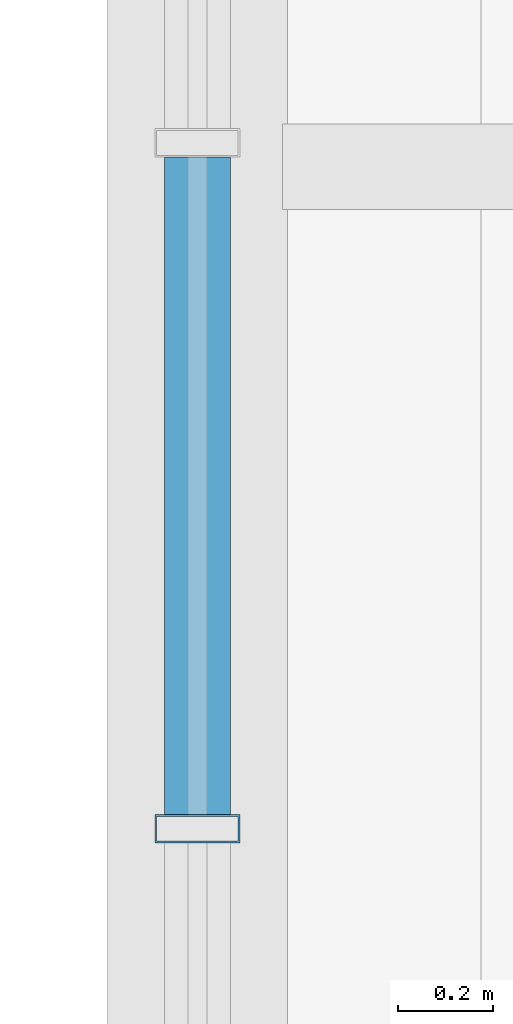
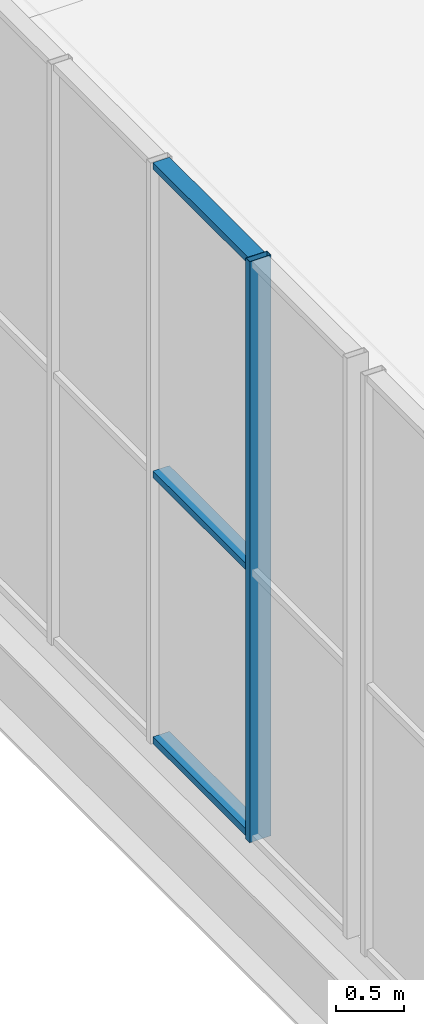
# One storey, part 6 of 58: 4 members, 1 element without a shape of its own.
"""IFC4 building model written with IfcOpenShell, lengths in metres."""

from ifc_helpers import new_model, si_unit, direction, frame, origin, origin_2d, place, context, subcontext, project, spatial, hollow_rectangle, extrude, material, material_profile, profile_set, type_object, element, aggregate, save


model = new_model("IFC4")

# Units and contexts
model_context = context("Model", 3, precision=1e-05, world=origin(), true_north=direction((0.0, 1.0)))
body_context = subcontext(model_context, "Body", "Model", "MODEL_VIEW")
ifc_project = project(units=[si_unit("LENGTHUNIT", "METRE"), si_unit("AREAUNIT", "SQUARE_METRE"), si_unit("VOLUMEUNIT", "CUBIC_METRE"), si_unit("PLANEANGLEUNIT", "RADIAN"), si_unit("MASSUNIT", "GRAM", prefix="KILO")], contexts=[model_context])

# Site, building, storey
site_placement = place(None, origin())
site = spatial("IfcSite", under=ifc_project, at=site_placement, CompositionType="ELEMENT")
building_placement = place(site_placement, origin())
building = spatial("IfcBuilding", under=site, at=building_placement, Name="Khurvash Pelagic Aquarium", CompositionType="ELEMENT")
storey_placement = place(building_placement, frame((0.0, 0.0, 24.60009765625)))
storey = spatial("IfcBuildingStorey", under=building, at=storey_placement, Name="L05", CompositionType="ELEMENT", Elevation=24.60009765625)

# Curtain wall, members
ifc_material_1 = material(Name="Anodised aluminium and low-E laminated glass", Category="aluminium")
curtain_wall_type = type_object("IfcCurtainWallType", Name="CW-04", PredefinedType="USERDEFINED", material=ifc_material_1)
curtain_wall_placement = place(storey_placement, origin())
curtain_wall = element("IfcCurtainWall", 1, at=curtain_wall_placement, inside=storey, type_object=curtain_wall_type, Name="L05 West Cantilever Overlook Curtain Wall CW-04", ObjectType="UNITISED CURTAIN WALL", PredefinedType="USERDEFINED")
ifc_material_2 = material(Name="Extruded aluminium AW-6063-T6", Category="aluminium")
ifc_material_profile_1 = material_profile(ifc_material_2, hollow_rectangle(XDim=0.06005859375, YDim=0.179931640625, WallThickness=0.00390625, at=origin_2d()), Name="CWM60X180X4")
ifc_profile_set_1 = profile_set([ifc_material_profile_1], Name="Extruded aluminium AW-6063-T6")
member_type_1 = type_object("IfcMemberType", Name="CM-01", PredefinedType="MULLION", material=ifc_profile_set_1)
member_1_placement = place(storey_placement, frame((12.60009765625, 19.300048828125, 0.0), z_axis=(0.0, 0.0, 1.0), x_axis=(0.0, 1.0, 0.0)))
member_1 = element("IfcMember", 2, at=member_1_placement, type_object=member_type_1, Name="CW-04 mullion 2", PredefinedType="MULLION", context=body_context, shape_type="SweptSolid", body=[
    extrude(hollow_rectangle(XDim=0.06005859375, YDim=0.179931640625, WallThickness=0.00390625, at=origin_2d()), origin(), (0.0, 0.0, 1.0), 5.179931640625),
])
ifc_material_profile_2 = material_profile(ifc_material_2, hollow_rectangle(XDim=0.139892578125, YDim=0.06005859375, WallThickness=0.00390625, at=origin_2d()), Name="CWT140X60X4")
ifc_profile_set_2 = profile_set([ifc_material_profile_2], Name="Extruded aluminium AW-6063-T6")
member_type_2 = type_object("IfcMemberType", Name="CT-01", PredefinedType="USERDEFINED", material=ifc_profile_set_2)
member_2_placement = place(storey_placement, frame((12.60009765625, 19.330078125, 0.02978515625), z_axis=(0.0, 1.0, 0.0), x_axis=(-1.0, 0.0, 0.0)))
member_2 = element("IfcMember", 3, at=member_2_placement, type_object=member_type_2, Name="CW-04 transom 2.1", ObjectType="TRANSOM", PredefinedType="USERDEFINED", context=body_context, shape_type="SweptSolid", body=[
    extrude(hollow_rectangle(XDim=0.139892578125, YDim=0.06005859375, WallThickness=0.00390625, at=origin_2d()), origin(), (0.0, 0.0, 1.0), 1.389892578125),
])
member_3_placement = place(storey_placement, frame((12.60009765625, 19.330078125, 2.39990234375), z_axis=(0.0, 1.0, 0.0), x_axis=(-1.0, 0.0, 0.0)))
member_3 = element("IfcMember", 4, at=member_3_placement, type_object=member_type_2, Name="CW-04 transom 2.2", ObjectType="TRANSOM", PredefinedType="USERDEFINED", context=body_context, shape_type="SweptSolid", body=[
    extrude(hollow_rectangle(XDim=0.139892578125, YDim=0.06005859375, WallThickness=0.00390625, at=origin_2d()), origin(), (0.0, 0.0, 1.0), 1.389892578125),
])
member_4_placement = place(storey_placement, frame((12.60009765625, 19.330078125, 5.14990234375), z_axis=(0.0, 1.0, 0.0), x_axis=(-1.0, 0.0, 0.0)))
member_4 = element("IfcMember", 5, at=member_4_placement, type_object=member_type_2, Name="CW-04 transom 2.3", ObjectType="TRANSOM", PredefinedType="USERDEFINED", context=body_context, shape_type="SweptSolid", body=[
    extrude(hollow_rectangle(XDim=0.139892578125, YDim=0.06005859375, WallThickness=0.00390625, at=origin_2d()), origin(), (0.0, 0.0, 1.0), 1.389892578125),
])
aggregate(curtain_wall, [member_1, member_2, member_3, member_4])

save(model, "model.ifc")
